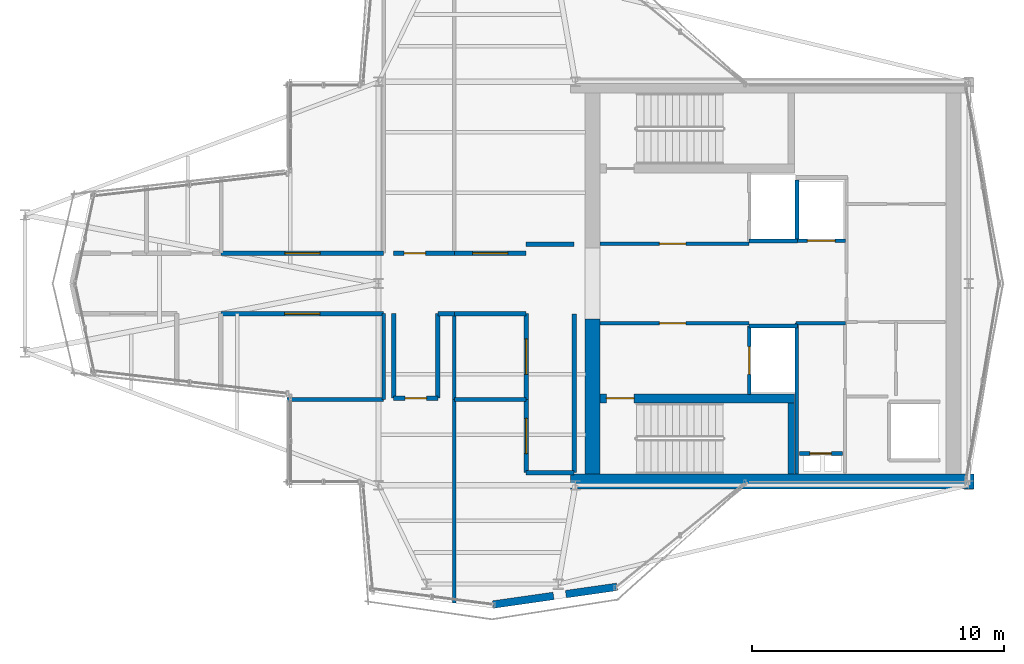
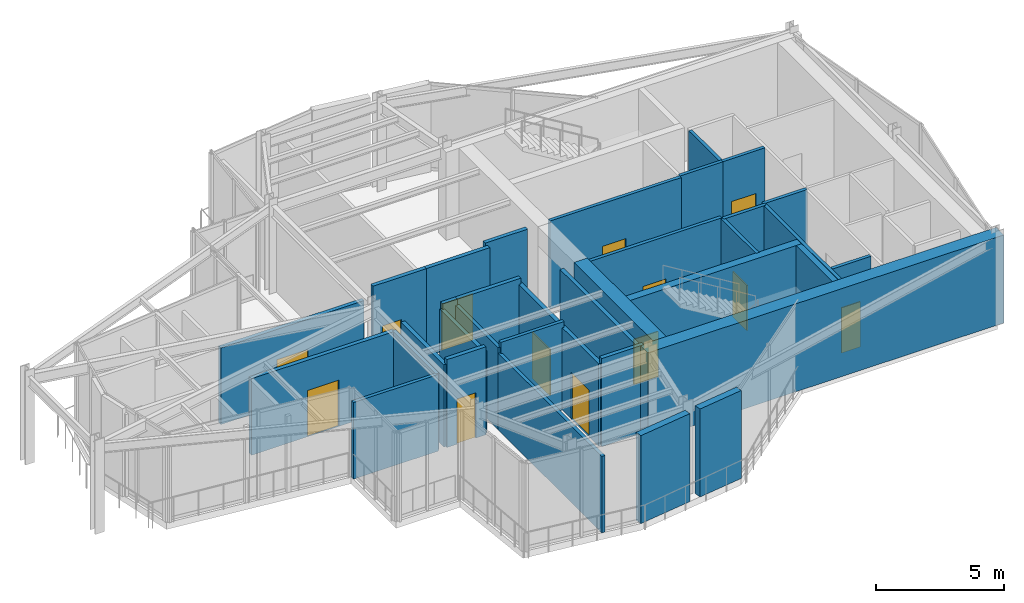
# One storey, part 8 of 14: 35 walls, 13 doors, 13 openings.
"""IFC4 building model written with IfcOpenShell, lengths in metres."""

from ifc_helpers import new_model, si_unit, direction, frame, frame_2d, origin, place, context, subcontext, project, spatial, rectangle, extrude, material, layer, layer_set, type_object, element, fill, save


model = new_model("IFC4")

# Units and contexts
model_context = context("Model", 3, precision=1e-05, world=origin(), true_north=direction((0.0, 1.0)))
body_context = subcontext(model_context, "Body", "Model", "MODEL_VIEW")
ifc_project = project(units=[si_unit("LENGTHUNIT", "METRE"), si_unit("AREAUNIT", "SQUARE_METRE"), si_unit("VOLUMEUNIT", "CUBIC_METRE"), si_unit("PLANEANGLEUNIT", "RADIAN"), si_unit("MASSUNIT", "GRAM", prefix="KILO")], contexts=[model_context])

# Site, building, storey
site_placement = place(None, origin())
site = spatial("IfcSite", under=ifc_project, at=site_placement, CompositionType="ELEMENT")
building_placement = place(site_placement, origin())
building = spatial("IfcBuilding", under=site, at=building_placement, Name="Veymaron Broadcast Tower", CompositionType="ELEMENT")
storey_placement = place(building_placement, frame((0.0, 0.0, 332.39990234375)))
storey = spatial("IfcBuildingStorey", under=building, at=storey_placement, Name="L78", CompositionType="ELEMENT", Elevation=332.39990234375)

# Walls
ifc_material_1 = material(Name="Precast concrete C40/50 with mineral-wool insulation", Category="concrete")
ifc_layer_1 = layer(ifc_material_1, 0.300048828125)
ifc_layer_set_1 = layer_set([ifc_layer_1], Name="Precast concrete C40/50 with mineral-wool insulation")
wall_type_1 = type_object("IfcWallType", Name="WALL-EXT-300", PredefinedType="STANDARD", material=ifc_layer_set_1)
wall_1_placement = place(storey_placement, frame((35.732177734375, 11.2666015625, 0.0), z_axis=(0.0, 0.0, 1.0), x_axis=(0.989917298502, 0.141646539412, 0.0)))
element("IfcWall", 1, at=wall_1_placement, inside=storey, type_object=wall_type_1, Name="L78 crown plant enclosure wall 19-1", PredefinedType="STANDARD", context=body_context, shape_type="SweptSolid", body=[
    extrude(rectangle(XDim=2.428466796875, YDim=0.300048828125, at=frame_2d((1.21435546875, 0.0))), origin(), (0.0, 0.0, 1.0), 4.18017578125),
])
wall_2_placement = place(storey_placement, frame((38.6279296875, 11.680908203125, 0.0), z_axis=(0.0, 0.0, 1.0), x_axis=(0.989904067126, 0.141738978007, 0.0)))
element("IfcWall", 2, at=wall_2_placement, inside=storey, type_object=wall_type_1, Name="L78 crown plant enclosure wall 19-2", PredefinedType="STANDARD", context=body_context, shape_type="SweptSolid", body=[
    extrude(rectangle(XDim=2.044677734375, YDim=0.300048828125, at=frame_2d((1.0224609375, 0.0))), origin(), (0.0, 0.0, 1.0), 4.18017578125),
])

# Wall, opening, door
ifc_material_2 = material(Name="Gypsum fireboard and steel stud framing", Category="steel")
ifc_layer_2 = layer(ifc_material_2, 0.14990234375)
ifc_layer_set_2 = layer_set([ifc_layer_2], Name="Gypsum fireboard and steel stud framing")
wall_type_2 = type_object("IfcWallType", Name="WALL-FIRE-150", PredefinedType="PARTITIONING", material=ifc_layer_set_2)
wall_3_placement = place(storey_placement, frame((39.97998046875, 25.574951171875, 0.0), z_axis=(0.0, 0.0, 1.0), x_axis=(1.0, 0.0, 0.0)))
wall_3 = element("IfcWall", 3, at=wall_3_placement, inside=storey, type_object=wall_type_2, Name="L78 partition IW-L78-FFLN-S", PredefinedType="PARTITIONING", context=body_context, shape_type="SweptSolid", body=[
    extrude(rectangle(XDim=5.89990234375, YDim=0.14990234375, at=frame_2d((2.949951171875, 0.0))), origin(), (0.0, 0.0, 1.0), 4.18017578125),
])
opening_1_placement = place(wall_3_placement, frame((2.35009765625, 0.0, 0.0)))
opening_1 = element("IfcOpeningElement", 4, at=opening_1_placement, cuts=wall_3, Name="Opening ID-FL1", PredefinedType="OPENING", context=body_context, shape_type="SweptSolid", body=[
    extrude(rectangle(XDim=1.050048828125, YDim=2.14990234375, at=frame_2d((0.52490234375, 1.074951171875))), frame((0.0, 0.0849609375, 0.0), z_axis=(0.0, -1.0, 0.0), x_axis=(1.0, 0.0, 0.0)), (0.0, 0.0, 1.0), 0.169921875),
])
ifc_material_3 = material(Name="Fire-rated painted hollow steel ASTM A653", Category="steel")
door_type_1 = type_object("IfcDoorType", Name="DOOR-FIRE-1050", OperationType="NOTDEFINED", PredefinedType="DOOR", material=ifc_material_3)
door_1_placement = place(opening_1_placement, origin())
door_1 = element("IfcDoor", 5, at=door_1_placement, inside=storey, type_object=door_type_1, Name="L78 door DR-L78-FFLN", OperationType="SINGLE_SWING_LEFT", OverallHeight=2.14990234375, OverallWidth=1.050048828125, PredefinedType="DOOR", context=body_context, shape_type="SweptSolid", body=[
    extrude(rectangle(XDim=1.050048828125, YDim=2.14990234375, at=frame_2d((0.52490234375, 1.074951171875))), frame((0.0, 0.02490234375, 0.0), z_axis=(0.0, -1.0, 0.0), x_axis=(1.0, 0.0, 0.0)), (0.0, 0.0, 1.0), 0.050048828125),
])
fill(opening_1, door_1)

wall_4_placement = place(storey_placement, frame((39.97998046875, 22.425048828125, 0.0), z_axis=(0.0, 0.0, 1.0), x_axis=(1.0, 0.0, 0.0)))
wall_4 = element("IfcWall", 6, at=wall_4_placement, inside=storey, type_object=wall_type_2, Name="L78 partition IW-L78-FFLS-N", PredefinedType="PARTITIONING", context=body_context, shape_type="SweptSolid", body=[
    extrude(rectangle(XDim=5.89990234375, YDim=0.14990234375, at=frame_2d((2.949951171875, 0.0))), origin(), (0.0, 0.0, 1.0), 4.18017578125),
])
opening_2_placement = place(wall_4_placement, frame((2.35009765625, 0.0, 0.0)))
opening_2 = element("IfcOpeningElement", 7, at=opening_2_placement, cuts=wall_4, Name="Opening ID-FL1", PredefinedType="OPENING", context=body_context, shape_type="SweptSolid", body=[
    extrude(rectangle(XDim=1.050048828125, YDim=2.14990234375, at=frame_2d((0.52490234375, 1.074951171875))), frame((0.0, 0.0849609375, 0.0), z_axis=(0.0, -1.0, 0.0), x_axis=(1.0, 0.0, 0.0)), (0.0, 0.0, 1.0), 0.169921875),
])
door_2_placement = place(opening_2_placement, frame((1.050048828125, 0.0, 0.0), z_axis=(0.0, 0.0, 1.0), x_axis=(-1.0, 0.0, 0.0)))
door_2 = element("IfcDoor", 8, at=door_2_placement, inside=storey, type_object=door_type_1, Name="L78 door DR-L78-FFLS", OperationType="SINGLE_SWING_RIGHT", OverallHeight=2.14990234375, OverallWidth=1.050048828125, PredefinedType="DOOR", context=body_context, shape_type="SweptSolid", body=[
    extrude(rectangle(XDim=1.050048828125, YDim=2.14990234375, at=frame_2d((0.52490234375, 1.074951171875))), frame((0.0, 0.02490234375, 0.0), z_axis=(0.0, -1.0, 0.0), x_axis=(1.0, 0.0, 0.0)), (0.0, 0.0, 1.0), 0.050048828125),
])
fill(opening_2, door_2)

# Wall
wall_5_placement = place(storey_placement, frame((45.89501953125, 25.68994140625, 0.0), z_axis=(0.0, 0.0, 1.0), x_axis=(1.0, 0.0, 0.0)))
element("IfcWall", 9, at=wall_5_placement, inside=storey, type_object=wall_type_2, Name="L78 partition IW-L78-SHS-FFL-1", PredefinedType="PARTITIONING", context=body_context, shape_type="SweptSolid", body=[
    extrude(rectangle(XDim=1.9150390625, YDim=0.14990234375, at=frame_2d((0.95751953125, 0.0))), origin(), (0.0, 0.0, 1.0), 4.18017578125),
])

# Wall, opening, door
wall_6_placement = place(storey_placement, frame((45.89501953125, 19.590087890625, 0.0), z_axis=(0.0, 0.0, 1.0), x_axis=(0.0, 1.0, 0.0)))
wall_6 = element("IfcWall", 10, at=wall_6_placement, inside=storey, type_object=wall_type_2, Name="L78 partition IW-L78-SHW-FFL-2", PredefinedType="PARTITIONING", context=body_context, shape_type="SweptSolid", body=[
    extrude(rectangle(XDim=2.719970703125, YDim=0.14990234375, at=frame_2d((1.35986328125, 0.0))), origin(), (0.0, 0.0, 1.0), 4.18017578125),
])
opening_3_placement = place(wall_6_placement, frame((0.81005859375, 0.0, 0.0)))
opening_3 = element("IfcOpeningElement", 11, at=opening_3_placement, cuts=wall_6, Name="Opening LD", PredefinedType="OPENING", context=body_context, shape_type="SweptSolid", body=[
    extrude(rectangle(XDim=1.10009765625, YDim=2.14990234375, at=frame_2d((0.550048828125, 1.074951171875))), frame((0.0, 0.0849609375, 0.0), z_axis=(0.0, -1.0, 0.0), x_axis=(1.0, 0.0, 0.0)), (0.0, 0.0, 1.0), 0.169921875),
])
ifc_material_4 = material(Name="Brushed stainless steel AISI 304", Category="steel")
door_type_2 = type_object("IfcDoorType", Name="DOOR-LIFT-1100", OperationType="DOUBLE_DOOR_SLIDING", PredefinedType="DOOR", material=ifc_material_4)
door_3_placement = place(opening_3_placement, frame((1.10009765625, 0.0, 0.0), z_axis=(0.0, 0.0, 1.0), x_axis=(-1.0, 0.0, 0.0)))
door_3 = element("IfcDoor", 12, at=door_3_placement, inside=storey, type_object=door_type_2, Name="L78 door LD-L78-FFL-2", OperationType="DOUBLE_DOOR_SLIDING", OverallHeight=2.14990234375, OverallWidth=1.10009765625, PredefinedType="DOOR", context=body_context, shape_type="SweptSolid", body=[
    extrude(rectangle(XDim=1.10009765625, YDim=2.14990234375, at=frame_2d((0.550048828125, 1.074951171875))), frame((0.0, 0.02490234375, 0.0), z_axis=(0.0, -1.0, 0.0), x_axis=(1.0, 0.0, 0.0)), (0.0, 0.0, 1.0), 0.050048828125),
])
fill(opening_3, door_3)

# Wall
wall_7_placement = place(storey_placement, frame((45.89501953125, 22.31005859375, 0.0), z_axis=(0.0, 0.0, 1.0), x_axis=(1.0, 0.0, 0.0)))
element("IfcWall", 13, at=wall_7_placement, inside=storey, type_object=wall_type_2, Name="L78 partition IW-L78-SHN-FFL-2", PredefinedType="PARTITIONING", context=body_context, shape_type="SweptSolid", body=[
    extrude(rectangle(XDim=1.9150390625, YDim=0.14990234375, at=frame_2d((0.95751953125, 0.0))), origin(), (0.0, 0.0, 1.0), 4.18017578125),
])

# Wall, opening, door
wall_8_placement = place(storey_placement, frame((47.7900390625, 25.695068359375, 0.0), z_axis=(0.0, 0.0, 1.0), x_axis=(1.0, 0.0, 0.0)))
wall_8 = element("IfcWall", 14, at=wall_8_placement, inside=storey, type_object=wall_type_2, Name="L78 partition IW-L78-SHS-SL-1", PredefinedType="PARTITIONING", context=body_context, shape_type="SweptSolid", body=[
    extrude(rectangle(XDim=1.919921875, YDim=0.14990234375, at=frame_2d((0.9599609375, 0.0))), origin(), (0.0, 0.0, 1.0), 4.18017578125),
])
opening_4_placement = place(wall_8_placement, frame((0.409912109375, 0.0, 0.0)))
opening_4 = element("IfcOpeningElement", 15, at=opening_4_placement, cuts=wall_8, Name="Opening LD", PredefinedType="OPENING", context=body_context, shape_type="SweptSolid", body=[
    extrude(rectangle(XDim=1.10009765625, YDim=2.14990234375, at=frame_2d((0.550048828125, 1.074951171875))), frame((0.0, 0.0849609375, 0.0), z_axis=(0.0, -1.0, 0.0), x_axis=(1.0, 0.0, 0.0)), (0.0, 0.0, 1.0), 0.169921875),
])
door_4_placement = place(opening_4_placement, frame((1.10009765625, 0.0, 0.0), z_axis=(0.0, 0.0, 1.0), x_axis=(-1.0, 0.0, 0.0)))
door_4 = element("IfcDoor", 16, at=door_4_placement, inside=storey, type_object=door_type_2, Name="L78 door LD-L78-SL-1", OperationType="DOUBLE_DOOR_SLIDING", OverallHeight=2.14990234375, OverallWidth=1.10009765625, PredefinedType="DOOR", context=body_context, shape_type="SweptSolid", body=[
    extrude(rectangle(XDim=1.10009765625, YDim=2.14990234375, at=frame_2d((0.550048828125, 1.074951171875))), frame((0.0, 0.02490234375, 0.0), z_axis=(0.0, -1.0, 0.0), x_axis=(1.0, 0.0, 0.0)), (0.0, 0.0, 1.0), 0.050048828125),
])
fill(opening_4, door_4)

# Wall
wall_9_placement = place(storey_placement, frame((47.7900390625, 25.695068359375, 0.0), z_axis=(0.0, 0.0, 1.0), x_axis=(0.0, 1.0, 0.0)))
element("IfcWall", 17, at=wall_9_placement, inside=storey, type_object=wall_type_2, Name="L78 partition IW-L78-SHW-SL-1", PredefinedType="PARTITIONING", context=body_context, shape_type="SweptSolid", body=[
    extrude(rectangle(XDim=2.4150390625, YDim=0.14990234375, at=frame_2d((1.20751953125, 0.0))), origin(), (0.0, 0.0, 1.0), 4.18017578125),
])

# Wall, opening, door
wall_10_placement = place(storey_placement, frame((47.8798828125, 17.260009765625, 0.0), z_axis=(0.0, 0.0, 1.0), x_axis=(1.0, 0.0, 0.0)))
wall_10 = element("IfcWall", 18, at=wall_10_placement, inside=storey, type_object=wall_type_2, Name="L78 partition IW-L78-RIS-N", PredefinedType="PARTITIONING", context=body_context, shape_type="SweptSolid", body=[
    extrude(rectangle(XDim=1.72021484375, YDim=0.14990234375, at=frame_2d((0.860107421875, 0.0))), origin(), (0.0, 0.0, 1.0), 4.18017578125),
])
opening_5_placement = place(wall_10_placement, frame((0.419921875, 0.0, 0.0)))
opening_5 = element("IfcOpeningElement", 19, at=opening_5_placement, cuts=wall_10, Name="Opening ID-RS1", PredefinedType="OPENING", context=body_context, shape_type="SweptSolid", body=[
    extrude(rectangle(XDim=0.85009765625, YDim=2.14990234375, at=frame_2d((0.425048828125, 1.074951171875))), frame((0.0, 0.0849609375, 0.0), z_axis=(0.0, -1.0, 0.0), x_axis=(1.0, 0.0, 0.0)), (0.0, 0.0, 1.0), 0.169921875),
])
ifc_material_5 = material(Name="Fire-rated powder-coated steel riser leaf", Category="steel")
door_type_3 = type_object("IfcDoorType", Name="DOOR-RIS-850", OperationType="NOTDEFINED", PredefinedType="TRAPDOOR", material=ifc_material_5)
door_5_placement = place(opening_5_placement, origin())
door_5 = element("IfcDoor", 20, at=door_5_placement, inside=storey, type_object=door_type_3, Name="L78 door DR-L78-RIS", OperationType="SINGLE_SWING_LEFT", OverallHeight=2.14990234375, OverallWidth=0.85009765625, PredefinedType="TRAPDOOR", context=body_context, shape_type="SweptSolid", body=[
    extrude(rectangle(XDim=0.85009765625, YDim=2.14990234375, at=frame_2d((0.425048828125, 1.074951171875))), frame((0.0, 0.02490234375, 0.0), z_axis=(0.0, -1.0, 0.0), x_axis=(1.0, 0.0, 0.0)), (0.0, 0.0, 1.0), 0.050048828125),
])
fill(opening_5, door_5)

# Walls
wall_11_placement = place(storey_placement, frame((47.760009765625, 22.425048828125, 0.0), z_axis=(0.0, 0.0, 1.0), x_axis=(1.0, 0.0, 0.0)))
element("IfcWall", 21, at=wall_11_placement, inside=storey, type_object=wall_type_2, Name="L78 partition IW-L78-SM-N", PredefinedType="PARTITIONING", context=body_context, shape_type="SweptSolid", body=[
    extrude(rectangle(XDim=1.9599609375, YDim=0.14990234375, at=frame_2d((0.97998046875, 0.0))), origin(), (0.0, 0.0, 1.0), 4.18017578125),
])
wall_12_placement = place(storey_placement, frame((47.780029296875, 16.449951171875, 0.0), z_axis=(0.0, 0.0, 1.0), x_axis=(0.0, 1.0, 0.0)))
element("IfcWall", 22, at=wall_12_placement, inside=storey, type_object=wall_type_2, Name="L78 partition IW-L78-SM-W", PredefinedType="PARTITIONING", context=body_context, shape_type="SweptSolid", body=[
    extrude(rectangle(XDim=5.97509765625, YDim=0.14990234375, at=frame_2d((2.987548828125, 0.0))), origin(), (0.0, 0.0, 1.0), 4.18017578125),
])

# Wall, opening, door
ifc_material_6 = material(Name="Concrete C40/50", Category="concrete")
ifc_layer_3 = layer(ifc_material_6, 0.179931640625)
ifc_layer_set_3 = layer_set([ifc_layer_3], Name="Concrete C40/50")
wall_type_3 = type_object("IfcWallType", Name="WALL-FIRE-180", PredefinedType="SOLIDWALL", material=ifc_layer_set_3)
wall_13_placement = place(storey_placement, frame((37.050048828125, 16.5, 0.0), z_axis=(0.0, 0.0, 1.0), x_axis=(0.0, 1.0, 0.0)))
wall_13 = element("IfcWall", 23, at=wall_13_placement, inside=storey, type_object=wall_type_3, Name="L78 partition IW-L78-P02", PredefinedType="SOLIDWALL", context=body_context, shape_type="SweptSolid", body=[
    extrude(rectangle(XDim=2.89990234375, YDim=0.179931640625, at=frame_2d((1.449951171875, 0.0))), origin(), (0.0, 0.0, 1.0), 3.91015625),
])
opening_6_placement = place(wall_13_placement, frame((0.75, 0.0, 0.0)))
opening_6 = element("IfcOpeningElement", 24, at=opening_6_placement, cuts=wall_13, Name="Opening ID-PL1", PredefinedType="OPENING", context=body_context, shape_type="SweptSolid", body=[
    extrude(rectangle(XDim=1.39990234375, YDim=2.199951171875, at=frame_2d((0.699951171875, 1.10009765625))), frame((0.0, 0.10009765625, 0.0), z_axis=(0.0, -1.0, 0.0), x_axis=(1.0, 0.0, 0.0)), (0.0, 0.0, 1.0), 0.199951171875),
])
ifc_material_7 = material(Name="Heavy-duty acoustic galvanized steel", Category="steel")
door_type_4 = type_object("IfcDoorType", Name="DOOR-PLANT-1400", OperationType="DOUBLE_DOOR_SINGLE_SWING", PredefinedType="DOOR", material=ifc_material_7)
door_6_placement = place(opening_6_placement, origin())
door_6 = element("IfcDoor", 25, at=door_6_placement, inside=storey, type_object=door_type_4, Name="L78 door DR-L78-P02", OperationType="SINGLE_SWING_LEFT", OverallHeight=2.199951171875, OverallWidth=1.39990234375, PredefinedType="DOOR", context=body_context, shape_type="SweptSolid", body=[
    extrude(rectangle(XDim=1.39990234375, YDim=2.199951171875, at=frame_2d((0.699951171875, 1.10009765625))), frame((0.0, 0.02490234375, 0.0), z_axis=(0.0, -1.0, 0.0), x_axis=(1.0, 0.0, 0.0)), (0.0, 0.0, 1.0), 0.050048828125),
])
fill(opening_6, door_6)

wall_14_placement = place(storey_placement, frame((31.800048828125, 19.449951171875, 0.0), z_axis=(0.0, 0.0, 1.0), x_axis=(1.0, 0.0, 0.0)))
wall_14 = element("IfcWall", 26, at=wall_14_placement, inside=storey, type_object=wall_type_3, Name="L78 partition IW-L78-P06", PredefinedType="SOLIDWALL", context=body_context, shape_type="SweptSolid", body=[
    extrude(rectangle(XDim=1.75, YDim=0.179931640625, at=frame_2d((0.875, 0.0))), origin(), (0.0, 0.0, 1.0), 4.18017578125),
])
opening_7_placement = place(wall_14_placement, frame((0.449951171875, 0.0, 0.0)))
opening_7 = element("IfcOpeningElement", 27, at=opening_7_placement, cuts=wall_14, Name="Opening ID-WC1", PredefinedType="OPENING", context=body_context, shape_type="SweptSolid", body=[
    extrude(rectangle(XDim=0.85009765625, YDim=2.14990234375, at=frame_2d((0.425048828125, 1.074951171875))), frame((0.0, 0.10009765625, 0.0), z_axis=(0.0, -1.0, 0.0), x_axis=(1.0, 0.0, 0.0)), (0.0, 0.0, 1.0), 0.199951171875),
])
ifc_material_8 = material(Name="Moisture-resistant high-pressure laminate timber", Category="wood")
door_type_5 = type_object("IfcDoorType", Name="DOOR-INT-850", OperationType="NOTDEFINED", PredefinedType="DOOR", material=ifc_material_8)
door_7_placement = place(opening_7_placement, frame((0.85009765625, 0.0, 0.0), z_axis=(0.0, 0.0, 1.0), x_axis=(-1.0, 0.0, 0.0)))
door_7 = element("IfcDoor", 28, at=door_7_placement, inside=storey, type_object=door_type_5, Name="L78 door DR-L78-P06", OperationType="SINGLE_SWING_LEFT", OverallHeight=2.14990234375, OverallWidth=0.85009765625, PredefinedType="DOOR", context=body_context, shape_type="SweptSolid", body=[
    extrude(rectangle(XDim=0.85009765625, YDim=2.14990234375, at=frame_2d((0.425048828125, 1.074951171875))), frame((0.0, 0.02490234375, 0.0), z_axis=(0.0, -1.0, 0.0), x_axis=(1.0, 0.0, 0.0)), (0.0, 0.0, 1.0), 0.050048828125),
])
fill(opening_7, door_7)

wall_15_placement = place(storey_placement, frame((37.050048828125, 19.39990234375, 0.0), z_axis=(0.0, 0.0, 1.0), x_axis=(0.0, 1.0, 0.0)))
wall_15 = element("IfcWall", 29, at=wall_15_placement, inside=storey, type_object=wall_type_3, Name="L78 partition IW-L78-P08", PredefinedType="SOLIDWALL", context=body_context, shape_type="SweptSolid", body=[
    extrude(rectangle(XDim=3.400146484375, YDim=0.179931640625, at=frame_2d((1.7001953125, 0.0))), origin(), (0.0, 0.0, 1.0), 3.91015625),
])
opening_8_placement = place(wall_15_placement, frame((1.0, 0.0, 0.0)))
opening_8 = element("IfcOpeningElement", 30, at=opening_8_placement, cuts=wall_15, Name="Opening ID-PL1", PredefinedType="OPENING", context=body_context, shape_type="SweptSolid", body=[
    extrude(rectangle(XDim=1.39990234375, YDim=2.199951171875, at=frame_2d((0.699951171875, 1.10009765625))), frame((0.0, 0.10009765625, 0.0), z_axis=(0.0, -1.0, 0.0), x_axis=(1.0, 0.0, 0.0)), (0.0, 0.0, 1.0), 0.199951171875),
])
door_8_placement = place(opening_8_placement, origin())
door_8 = element("IfcDoor", 31, at=door_8_placement, inside=storey, type_object=door_type_4, Name="L78 door DR-L78-P08", OperationType="SINGLE_SWING_LEFT", OverallHeight=2.199951171875, OverallWidth=1.39990234375, PredefinedType="DOOR", context=body_context, shape_type="SweptSolid", body=[
    extrude(rectangle(XDim=1.39990234375, YDim=2.199951171875, at=frame_2d((0.699951171875, 1.10009765625))), frame((0.0, 0.02490234375, 0.0), z_axis=(0.0, -1.0, 0.0), x_axis=(1.0, 0.0, 0.0)), (0.0, 0.0, 1.0), 0.050048828125),
])
fill(opening_8, door_8)

wall_16_placement = place(storey_placement, frame((24.949951171875, 22.800048828125, 0.0), z_axis=(0.0, 0.0, 1.0), x_axis=(1.0, 0.0, 0.0)))
wall_16 = element("IfcWall", 32, at=wall_16_placement, inside=storey, type_object=wall_type_3, Name="L78 partition IW-L78-P10", PredefinedType="SOLIDWALL", context=body_context, shape_type="SweptSolid", body=[
    extrude(rectangle(XDim=6.449951171875, YDim=0.179931640625, at=frame_2d((3.22509765625, 0.0))), origin(), (0.0, 0.0, 1.0), 3.64013671875),
])
opening_9_placement = place(wall_16_placement, frame((2.52490234375, 0.0, 0.0)))
opening_9 = element("IfcOpeningElement", 33, at=opening_9_placement, cuts=wall_16, Name="Opening ID-PL1", PredefinedType="OPENING", context=body_context, shape_type="SweptSolid", body=[
    extrude(rectangle(XDim=1.39990234375, YDim=2.199951171875, at=frame_2d((0.699951171875, 1.10009765625))), frame((0.0, 0.10009765625, 0.0), z_axis=(0.0, -1.0, 0.0), x_axis=(1.0, 0.0, 0.0)), (0.0, 0.0, 1.0), 0.199951171875),
])
door_9_placement = place(opening_9_placement, frame((1.39990234375, 0.0, 0.0), z_axis=(0.0, 0.0, 1.0), x_axis=(-1.0, 0.0, 0.0)))
door_9 = element("IfcDoor", 34, at=door_9_placement, inside=storey, type_object=door_type_4, Name="L78 door DR-L78-P10", OperationType="SINGLE_SWING_LEFT", OverallHeight=2.199951171875, OverallWidth=1.39990234375, PredefinedType="DOOR", context=body_context, shape_type="SweptSolid", body=[
    extrude(rectangle(XDim=1.39990234375, YDim=2.199951171875, at=frame_2d((0.699951171875, 1.10009765625))), frame((0.0, 0.02490234375, 0.0), z_axis=(0.0, -1.0, 0.0), x_axis=(1.0, 0.0, 0.0)), (0.0, 0.0, 1.0), 0.050048828125),
])
fill(opening_9, door_9)

wall_17_placement = place(storey_placement, frame((24.9599609375, 25.199951171875, 0.0), z_axis=(0.0, 0.0, 1.0), x_axis=(1.0, 0.0, 0.0)))
wall_17 = element("IfcWall", 35, at=wall_17_placement, inside=storey, type_object=wall_type_3, Name="L78 partition IW-L78-P18", PredefinedType="SOLIDWALL", context=body_context, shape_type="SweptSolid", body=[
    extrude(rectangle(XDim=6.43994140625, YDim=0.179931640625, at=frame_2d((3.219970703125, 0.0))), origin(), (0.0, 0.0, 1.0), 3.64013671875),
])
opening_10_placement = place(wall_17_placement, frame((2.52001953125, 0.0, 0.0)))
opening_10 = element("IfcOpeningElement", 36, at=opening_10_placement, cuts=wall_17, Name="Opening ID-PL1", PredefinedType="OPENING", context=body_context, shape_type="SweptSolid", body=[
    extrude(rectangle(XDim=1.39990234375, YDim=2.199951171875, at=frame_2d((0.699951171875, 1.10009765625))), frame((0.0, 0.10009765625, 0.0), z_axis=(0.0, -1.0, 0.0), x_axis=(1.0, 0.0, 0.0)), (0.0, 0.0, 1.0), 0.199951171875),
])
door_10_placement = place(opening_10_placement, origin())
door_10 = element("IfcDoor", 37, at=door_10_placement, inside=storey, type_object=door_type_4, Name="L78 door DR-L78-P18", OperationType="SINGLE_SWING_LEFT", OverallHeight=2.199951171875, OverallWidth=1.39990234375, PredefinedType="DOOR", context=body_context, shape_type="SweptSolid", body=[
    extrude(rectangle(XDim=1.39990234375, YDim=2.199951171875, at=frame_2d((0.699951171875, 1.10009765625))), frame((0.0, 0.02490234375, 0.0), z_axis=(0.0, -1.0, 0.0), x_axis=(1.0, 0.0, 0.0)), (0.0, 0.0, 1.0), 0.050048828125),
])
fill(opening_10, door_10)

wall_18_placement = place(storey_placement, frame((31.800048828125, 25.199951171875, 0.0), z_axis=(0.0, 0.0, 1.0), x_axis=(1.0, 0.0, 0.0)))
wall_18 = element("IfcWall", 38, at=wall_18_placement, inside=storey, type_object=wall_type_3, Name="L78 partition IW-L78-P19", PredefinedType="SOLIDWALL", context=body_context, shape_type="SweptSolid", body=[
    extrude(rectangle(XDim=2.39990234375, YDim=0.179931640625, at=frame_2d((1.199951171875, 0.0))), origin(), (0.0, 0.0, 1.0), 4.18017578125),
])
opening_11_placement = place(wall_18_placement, frame((0.4150390625, 0.0, 0.0)))
opening_11 = element("IfcOpeningElement", 39, at=opening_11_placement, cuts=wall_18, Name="Opening ID-WC1", PredefinedType="OPENING", context=body_context, shape_type="SweptSolid", body=[
    extrude(rectangle(XDim=0.85009765625, YDim=2.14990234375, at=frame_2d((0.425048828125, 1.074951171875))), frame((0.0, 0.10009765625, 0.0), z_axis=(0.0, -1.0, 0.0), x_axis=(1.0, 0.0, 0.0)), (0.0, 0.0, 1.0), 0.199951171875),
])
door_11_placement = place(opening_11_placement, origin())
door_11 = element("IfcDoor", 40, at=door_11_placement, inside=storey, type_object=door_type_5, Name="L78 door DR-L78-P19", OperationType="SINGLE_SWING_RIGHT", OverallHeight=2.14990234375, OverallWidth=0.85009765625, PredefinedType="DOOR", context=body_context, shape_type="SweptSolid", body=[
    extrude(rectangle(XDim=0.85009765625, YDim=2.14990234375, at=frame_2d((0.425048828125, 1.074951171875))), frame((0.0, 0.02490234375, 0.0), z_axis=(0.0, -1.0, 0.0), x_axis=(1.0, 0.0, 0.0)), (0.0, 0.0, 1.0), 0.050048828125),
])
fill(opening_11, door_11)

wall_19_placement = place(storey_placement, frame((34.199951171875, 25.199951171875, 0.0), z_axis=(0.0, 0.0, 1.0), x_axis=(1.0, 0.0, 0.0)))
wall_19 = element("IfcWall", 41, at=wall_19_placement, inside=storey, type_object=wall_type_3, Name="L78 partition IW-L78-P20", PredefinedType="SOLIDWALL", context=body_context, shape_type="SweptSolid", body=[
    extrude(rectangle(XDim=2.85009765625, YDim=0.179931640625, at=frame_2d((1.425048828125, 0.0))), origin(), (0.0, 0.0, 1.0), 4.18017578125),
])
opening_12_placement = place(wall_19_placement, frame((0.72509765625, 0.0, 0.0)))
opening_12 = element("IfcOpeningElement", 42, at=opening_12_placement, cuts=wall_19, Name="Opening ID-PL1", PredefinedType="OPENING", context=body_context, shape_type="SweptSolid", body=[
    extrude(rectangle(XDim=1.39990234375, YDim=2.199951171875, at=frame_2d((0.699951171875, 1.10009765625))), frame((0.0, 0.10009765625, 0.0), z_axis=(0.0, -1.0, 0.0), x_axis=(1.0, 0.0, 0.0)), (0.0, 0.0, 1.0), 0.199951171875),
])
door_12_placement = place(opening_12_placement, origin())
door_12 = element("IfcDoor", 43, at=door_12_placement, inside=storey, type_object=door_type_4, Name="L78 door DR-L78-P20", OperationType="SINGLE_SWING_LEFT", OverallHeight=2.199951171875, OverallWidth=1.39990234375, PredefinedType="DOOR", context=body_context, shape_type="SweptSolid", body=[
    extrude(rectangle(XDim=1.39990234375, YDim=2.199951171875, at=frame_2d((0.699951171875, 1.10009765625))), frame((0.0, 0.02490234375, 0.0), z_axis=(0.0, -1.0, 0.0), x_axis=(1.0, 0.0, 0.0)), (0.0, 0.0, 1.0), 0.050048828125),
])
fill(opening_12, door_12)

# Walls
wall_20_placement = place(storey_placement, frame((38.949951171875, 16.5, 0.0), z_axis=(0.0, 0.0, 1.0), x_axis=(0.0, 1.0, 0.0)))
element("IfcWall", 44, at=wall_20_placement, inside=storey, type_object=wall_type_3, Name="L78 partition IW-L78-P01", PredefinedType="SOLIDWALL", context=body_context, shape_type="SweptSolid", body=[
    extrude(rectangle(XDim=6.300048828125, YDim=0.179931640625, at=frame_2d((3.14990234375, 0.0))), origin(), (0.0, 0.0, 1.0), 3.91015625),
])
wall_21_placement = place(storey_placement, frame((37.050048828125, 16.5, 0.0), z_axis=(0.0, 0.0, 1.0), x_axis=(1.0, 0.0, 0.0)))
element("IfcWall", 45, at=wall_21_placement, inside=storey, type_object=wall_type_3, Name="L78 partition IW-L78-P03", PredefinedType="SOLIDWALL", context=body_context, shape_type="SweptSolid", body=[
    extrude(rectangle(XDim=1.89990234375, YDim=0.179931640625, at=frame_2d((0.949951171875, 0.0))), origin(), (0.0, 0.0, 1.0), 4.18017578125),
])
for number, where, z_axis, x_axis, name in (
    (46, (33.550048828125, 19.449951171875, 0.0), (0.0, 0.0, 1.0), (0.0, 1.0, 0.0), "L78 partition IW-L78-P04"),
    (47, (31.800048828125, 19.449951171875, 0.0), (0.0, 0.0, 1.0), (0.0, 1.0, 0.0), "L78 partition IW-L78-P05"),
):
    element("IfcWall", number, at=place(storey_placement, frame(where, z_axis=z_axis, x_axis=x_axis)), inside=storey, type_object=wall_type_3, Name=name, PredefinedType="SOLIDWALL", context=body_context, shape_type="SweptSolid", body=[
        extrude(rectangle(XDim=3.35009765625, YDim=0.179931640625, at=frame_2d((1.675048828125, 0.0))), origin(), (0.0, 0.0, 1.0), 3.91015625),
    ])
wall_22_placement = place(storey_placement, frame((33.550048828125, 22.800048828125, 0.0), z_axis=(0.0, 0.0, 1.0), x_axis=(1.0, 0.0, 0.0)))
element("IfcWall", 48, at=wall_22_placement, inside=storey, type_object=wall_type_3, Name="L78 partition IW-L78-P07", PredefinedType="SOLIDWALL", context=body_context, shape_type="SweptSolid", body=[
    extrude(rectangle(XDim=0.64990234375, YDim=0.179931640625, at=frame_2d((0.324951171875, 0.0))), origin(), (0.0, 0.0, 1.0), 4.18017578125),
])
wall_23_placement = place(storey_placement, frame((34.199951171875, 22.800048828125, 0.0), z_axis=(0.0, 0.0, 1.0), x_axis=(1.0, 0.0, 0.0)))
element("IfcWall", 49, at=wall_23_placement, inside=storey, type_object=wall_type_3, Name="L78 partition IW-L78-P09", PredefinedType="SOLIDWALL", context=body_context, shape_type="SweptSolid", body=[
    extrude(rectangle(XDim=2.85009765625, YDim=0.179931640625, at=frame_2d((1.425048828125, 0.0))), origin(), (0.0, 0.0, 1.0), 4.18017578125),
])
wall_24_placement = place(storey_placement, frame((37.050048828125, 25.550048828125, 0.0), z_axis=(0.0, 0.0, 1.0), x_axis=(1.0, 0.0, 0.0)))
element("IfcWall", 50, at=wall_24_placement, inside=storey, type_object=wall_type_3, Name="L78 partition IW-L78-P21", PredefinedType="SOLIDWALL", context=body_context, shape_type="SweptSolid", body=[
    extrude(rectangle(XDim=1.89990234375, YDim=0.179931640625, at=frame_2d((0.949951171875, 0.0))), origin(), (0.0, 0.0, 1.0), 4.18017578125),
])
ifc_material_9 = material(Name="Fire-rated laminated glass in aluminium frame", Category="aluminium")
ifc_layer_4 = layer(ifc_material_9, 0.14990234375)
ifc_layer_set_4 = layer_set([ifc_layer_4], Name="Fire-rated laminated glass in aluminium frame")
wall_type_4 = type_object("IfcWallType", Name="WALL-GLZ-150", PredefinedType="MOVABLE", material=ifc_layer_set_4)
wall_25_placement = place(storey_placement, frame((34.199951171875, 11.329833984375, 0.0), z_axis=(0.0, 0.0, 1.0), x_axis=(0.0, 1.0, 0.0)))
element("IfcWall", 51, at=wall_25_placement, inside=storey, type_object=wall_type_4, Name="L78 partition IW-L78-P22", PredefinedType="MOVABLE", context=body_context, shape_type="SweptSolid", body=[
    extrude(rectangle(XDim=8.070068359375, YDim=0.14990234375, at=frame_2d((4.03515625, 0.0))), origin(), (0.0, 0.0, 1.0), 3.64013671875),
])
wall_26_placement = place(storey_placement, frame((34.199951171875, 19.39990234375, 0.0), z_axis=(0.0, 0.0, 1.0), x_axis=(1.0, 0.0, 0.0)))
element("IfcWall", 52, at=wall_26_placement, inside=storey, type_object=wall_type_4, Name="L78 partition IW-L78-P23", PredefinedType="MOVABLE", context=body_context, shape_type="SweptSolid", body=[
    extrude(rectangle(XDim=2.85009765625, YDim=0.14990234375, at=frame_2d((1.425048828125, 0.0))), origin(), (0.0, 0.0, 1.0), 4.18017578125),
])
wall_27_placement = place(storey_placement, frame((34.199951171875, 19.39990234375, 0.0), z_axis=(0.0, 0.0, 1.0), x_axis=(0.0, 1.0, 0.0)))
element("IfcWall", 53, at=wall_27_placement, inside=storey, type_object=wall_type_4, Name="L78 partition IW-L78-P24", PredefinedType="MOVABLE", context=body_context, shape_type="SweptSolid", body=[
    extrude(rectangle(XDim=3.400146484375, YDim=0.14990234375, at=frame_2d((1.7001953125, 0.0))), origin(), (0.0, 0.0, 1.0), 3.91015625),
])
wall_28_placement = place(storey_placement, frame((27.575927734375, 19.39990234375, 0.0), z_axis=(0.0, 0.0, 1.0), x_axis=(1.0, 0.0, 0.0)))
element("IfcWall", 54, at=wall_28_placement, inside=storey, type_object=wall_type_4, Name="L78 partition IW-L78-P25", PredefinedType="MOVABLE", context=body_context, shape_type="SweptSolid", body=[
    extrude(rectangle(XDim=3.823974609375, YDim=0.14990234375, at=frame_2d((1.912109375, 0.0))), origin(), (0.0, 0.0, 1.0), 3.64013671875),
])
wall_29_placement = place(storey_placement, frame((31.39990234375, 19.39990234375, 0.0), z_axis=(0.0, 0.0, 1.0), x_axis=(0.0, 1.0, 0.0)))
element("IfcWall", 55, at=wall_29_placement, inside=storey, type_object=wall_type_4, Name="L78 partition IW-L78-P26", PredefinedType="MOVABLE", context=body_context, shape_type="SweptSolid", body=[
    extrude(rectangle(XDim=3.400146484375, YDim=0.14990234375, at=frame_2d((1.7001953125, 0.0))), origin(), (0.0, 0.0, 1.0), 3.64013671875),
])
ifc_material_10 = material(Name="Concrete C50/60", Category="concrete")
ifc_layer_5 = layer(ifc_material_10, 0.25)
ifc_layer_set_5 = layer_set([ifc_layer_5], Name="Concrete C50/60")
wall_type_5 = type_object("IfcWallType", Name="WALL-SHEAR-250", PredefinedType="SHEAR", material=ifc_layer_set_5)
wall_30_placement = place(storey_placement, frame((47.56494140625, 16.449951171875, 0.0), z_axis=(0.0, 0.0, 1.0), x_axis=(0.0, 1.0, 0.0)))
element("IfcWall", 56, at=wall_30_placement, inside=storey, type_object=wall_type_5, Name="L78 Core Wall south stair east shear", PredefinedType="SHEAR", context=body_context, shape_type="SweptSolid", body=[
    extrude(rectangle(XDim=2.820068359375, YDim=0.25, at=frame_2d((1.41015625, 0.0))), origin(), (0.0, 0.0, 1.0), 4.18017578125),
])

# Wall, opening, door
ifc_layer_6 = layer(ifc_material_10, 0.35009765625)
ifc_layer_set_6 = layer_set([ifc_layer_6], Name="Concrete C50/60")
wall_type_6 = type_object("IfcWallType", Name="WALL-SHEAR-350", PredefinedType="SHEAR", material=ifc_layer_set_6)
wall_31_placement = place(storey_placement, frame((39.97998046875, 19.445068359375, 0.0), z_axis=(0.0, 0.0, 1.0), x_axis=(1.0, 0.0, 0.0)))
wall_31 = element("IfcWall", 57, at=wall_31_placement, inside=storey, type_object=wall_type_6, Name="L78 Core Wall south stair spine", PredefinedType="SHEAR", context=body_context, shape_type="SweptSolid", body=[
    extrude(rectangle(XDim=7.7099609375, YDim=0.35009765625, at=frame_2d((3.85498046875, 0.0))), origin(), (0.0, 0.0, 1.0), 4.18017578125),
])
opening_13_placement = place(wall_31_placement, frame((0.25, 0.0, 0.0)))
opening_13 = element("IfcOpeningElement", 58, at=opening_13_placement, cuts=wall_31, Name="Opening ID-ST1", PredefinedType="OPENING", context=body_context, shape_type="SweptSolid", body=[
    extrude(rectangle(XDim=1.10009765625, YDim=2.14990234375, at=frame_2d((0.550048828125, 1.074951171875))), frame((0.0, 0.18505859375, 0.0), z_axis=(0.0, -1.0, 0.0), x_axis=(1.0, 0.0, 0.0)), (0.0, 0.0, 1.0), 0.3701171875),
])
door_type_6 = type_object("IfcDoorType", Name="DOOR-STAIR-1100", OperationType="NOTDEFINED", PredefinedType="DOOR", material=ifc_material_3)
door_13_placement = place(opening_13_placement, frame((1.10009765625, 0.0, 0.0), z_axis=(0.0, 0.0, 1.0), x_axis=(-1.0, 0.0, 0.0)))
door_13 = element("IfcDoor", 59, at=door_13_placement, inside=storey, type_object=door_type_6, Name="L78 exit stair ST2 fire door", OperationType="SINGLE_SWING_RIGHT", OverallHeight=2.14990234375, OverallWidth=1.10009765625, PredefinedType="DOOR", context=body_context, shape_type="SweptSolid", body=[
    extrude(rectangle(XDim=1.10009765625, YDim=2.14990234375, at=frame_2d((0.550048828125, 1.074951171875))), frame((0.0, 0.02490234375, 0.0), z_axis=(0.0, -1.0, 0.0), x_axis=(1.0, 0.0, 0.0)), (0.0, 0.0, 1.0), 0.050048828125),
])
fill(opening_13, door_13)

# Walls
ifc_layer_7 = layer(ifc_material_10, 0.60009765625)
ifc_layer_set_7 = layer_set([ifc_layer_7], Name="Concrete C50/60")
wall_type_7 = type_object("IfcWallType", Name="WALL-SHEAR-600", PredefinedType="SHEAR", material=ifc_layer_set_7)
wall_32_placement = place(storey_placement, frame((38.800048828125, 16.14990234375, 0.0), z_axis=(0.0, 0.0, 1.0), x_axis=(1.0, 0.0, 0.0)))
element("IfcWall", 60, at=wall_32_placement, inside=storey, type_object=wall_type_7, Name="L78 Core Wall south shear", PredefinedType="SHEAR", context=body_context, shape_type="SweptSolid", body=[
    extrude(rectangle(XDim=16.0, YDim=0.60009765625, at=frame_2d((8.0, 0.0))), origin(), (0.0, 0.0, 1.0), 4.18017578125),
])
wall_33_placement = place(storey_placement, frame((39.679931640625, 16.449951171875, 0.0), z_axis=(0.0, 0.0, 1.0), x_axis=(0.0, 1.0, 0.0)))
element("IfcWall", 61, at=wall_33_placement, inside=storey, type_object=wall_type_7, Name="L78 Core Wall west-south shear", PredefinedType="SHEAR", context=body_context, shape_type="SweptSolid", body=[
    extrude(rectangle(XDim=6.150146484375, YDim=0.60009765625, at=frame_2d((3.0751953125, 0.0))), origin(), (0.0, 0.0, 1.0), 4.18017578125),
])

save(model, "model.ifc")
